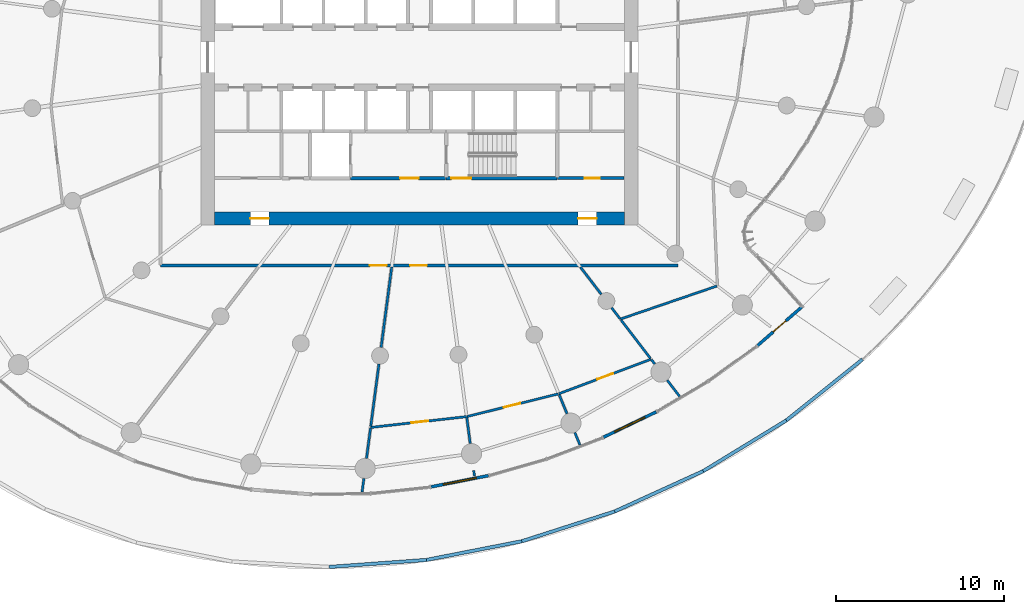
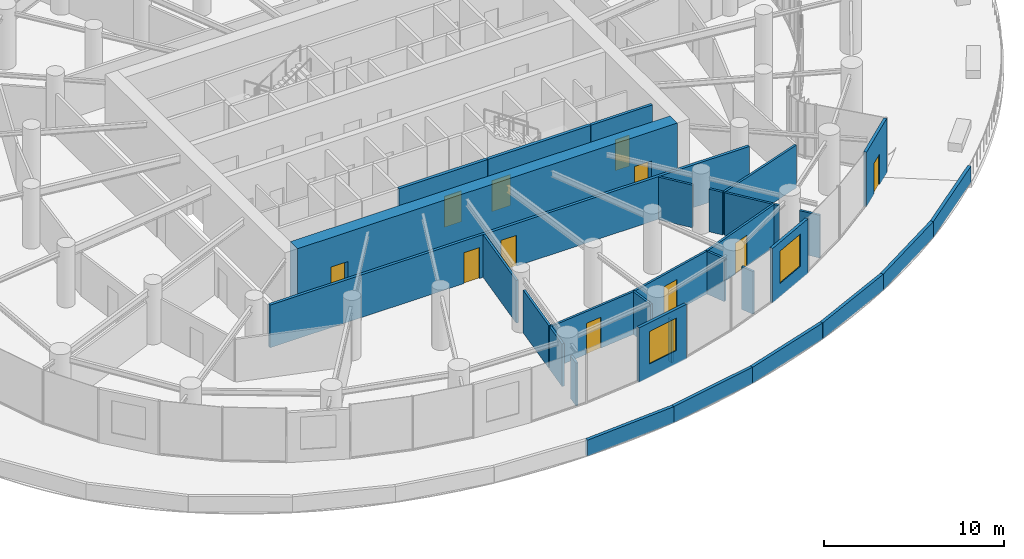
# One storey, part 15 of 24: 31 walls, 11 doors, 2 windows, 13 openings.
"""IFC4 building model written with IfcOpenShell, lengths in metres."""

from ifc_helpers import new_model, si_unit, direction, frame, frame_2d, origin, place, context, subcontext, project, spatial, rectangle, extrude, source, transform, mapped, material, layer, layer_set, type_object, element, fill, save


model = new_model("IFC4")

# Units and contexts
model_context = context("Model", 3, precision=1e-05, world=origin(), true_north=direction((0.0, 1.0)))
body_context = subcontext(model_context, "Body", "Model", "MODEL_VIEW")
ifc_project = project(units=[si_unit("LENGTHUNIT", "METRE"), si_unit("AREAUNIT", "SQUARE_METRE"), si_unit("VOLUMEUNIT", "CUBIC_METRE"), si_unit("PLANEANGLEUNIT", "RADIAN"), si_unit("MASSUNIT", "GRAM", prefix="KILO")], contexts=[model_context])

# Site, building, storey
site_placement = place(None, origin())
site = spatial("IfcSite", under=ifc_project, at=site_placement, CompositionType="ELEMENT")
building_placement = place(site_placement, origin())
building = spatial("IfcBuilding", under=site, at=building_placement, Name="Spindrift Exchange Tower", CompositionType="ELEMENT")
storey_placement = place(building_placement, frame((0.0, 0.0, 79.800048828125)))
storey = spatial("IfcBuildingStorey", under=building, at=storey_placement, Name="L18", CompositionType="ELEMENT", Elevation=79.800048828125)

# Walls
ifc_material_1 = material(Name="Concrete 40 MPa", Category="concrete")
ifc_layer_1 = layer(ifc_material_1, 0.199951171875)
ifc_layer_set_1 = layer_set([ifc_layer_1], Name="LEDGE PARAPET 1100")
wall_type_1 = type_object("IfcWallType", Name="LEDGE PARAPET 1100", PredefinedType="PARAPET", material=ifc_layer_set_1)
wall_1_placement = place(storey_placement, frame((78.36572265625, 30.011474609375, 0.0), z_axis=(0.0, 0.0, 1.0), x_axis=(-0.780321884559, -0.625378090821, 0.0)))
element("IfcWall", 1, at=wall_1_placement, inside=storey, type_object=wall_type_1, Name="L18 Ledge Parapet 1", PredefinedType="PARAPET", context=body_context, shape_type="SweptSolid", body=[
    extrude(rectangle(XDim=5.79541015625, YDim=0.199951171875, at=frame_2d((2.897705078125, 0.0))), origin(), (0.0, 0.0, 1.0), 1.099853515625),
])
for number, where, z_axis, x_axis, name in (
    (2, (73.843505859375, 26.38720703125, 0.0), (0.0, 0.0, 1.0), (-0.8535357823, -0.521034229523, 0.0), "L18 Ledge Parapet 2"),
    (3, (68.896240234375, 23.3671875, 0.0), (0.0, 0.0, 1.0), (-0.909930342598, -0.414761101864, 0.0), "L18 Ledge Parapet 3"),
):
    element("IfcWall", number, at=place(storey_placement, frame(where, z_axis=z_axis, x_axis=x_axis)), inside=storey, type_object=wall_type_1, Name=name, PredefinedType="PARAPET", context=body_context, shape_type="SweptSolid", body=[
        extrude(rectangle(XDim=5.796142578125, YDim=0.199951171875, at=frame_2d((2.89794921875, 0.0))), origin(), (0.0, 0.0, 1.0), 1.099853515625),
    ])
wall_2_placement = place(storey_placement, frame((63.6220703125, 20.963134765625, 0.0), z_axis=(0.0, 0.0, 1.0), x_axis=(-0.952182260254, -0.305530592997, 0.0)))
element("IfcWall", 4, at=wall_2_placement, inside=storey, type_object=wall_type_1, Name="L18 Ledge Parapet 4", PredefinedType="PARAPET", context=body_context, shape_type="SweptSolid", body=[
    extrude(rectangle(XDim=5.79638671875, YDim=0.199951171875, at=frame_2d((2.898193359375, 0.0))), origin(), (0.0, 0.0, 1.0), 1.099853515625),
])
for number, where, z_axis, x_axis, name in (
    (5, (58.102783203125, 19.192138671875, 0.0), (0.0, 0.0, 1.0), (-0.981406111049, -0.191942817513, 0.0), "L18 Ledge Parapet 5"),
    (6, (52.414306640625, 18.07958984375, 0.0), (0.0, 0.0, 1.0), (-0.997399560829, -0.072070216165, 0.0), "L18 Ledge Parapet 6"),
):
    element("IfcWall", number, at=place(storey_placement, frame(where, z_axis=z_axis, x_axis=x_axis)), inside=storey, type_object=wall_type_1, Name=name, PredefinedType="PARAPET", context=body_context, shape_type="SweptSolid", body=[
        extrude(rectangle(XDim=5.796142578125, YDim=0.199951171875, at=frame_2d((2.89794921875, 0.0))), origin(), (0.0, 0.0, 1.0), 1.099853515625),
    ])

# Wall, openings, doors
ifc_material_2 = material(Name="Concrete 65 MPa", Category="concrete")
ifc_layer_2 = layer(ifc_material_2, 0.800048828125)
ifc_layer_set_2 = layer_set([ifc_layer_2], Name="RC Core Wall 800 Concrete 65 MPa")
wall_type_2 = type_object("IfcWallType", Name="RC Core Wall 800 Concrete 65 MPa", PredefinedType="SHEAR", material=ifc_layer_set_2)
wall_3_placement = place(storey_placement, frame((39.800048828125, 38.39990234375, 0.0), z_axis=(0.0, 0.0, 1.0), x_axis=(1.0, 0.0, 0.0)))
wall_3 = element("IfcWall", 7, at=wall_3_placement, inside=storey, type_object=wall_type_2, Name="Core wall S L18", PredefinedType="SHEAR", context=body_context, shape_type="SweptSolid", body=[
    extrude(rectangle(XDim=24.39990234375, YDim=0.800048828125, at=frame_2d((12.199951171875, 0.0))), origin(), (0.0, 0.0, 1.0), 4.099853515625),
])
opening_1_placement = place(wall_3_placement, frame((21.64990234375, 0.0, 0.0)))
opening_1 = element("IfcOpeningElement", 8, at=opening_1_placement, cuts=wall_3, Name="Opening L18-D22", PredefinedType="OPENING", context=body_context, shape_type="SweptSolid", body=[
    extrude(rectangle(XDim=1.10009765625, YDim=2.10009765625, at=frame_2d((0.550048828125, 1.050048828125))), frame((0.0, 0.409912109375, 0.0), z_axis=(0.0, -1.0, 0.0), x_axis=(1.0, 0.0, 0.0)), (0.0, 0.0, 1.0), 0.820068359375),
])
opening_2_placement = place(wall_3_placement, frame((2.14990234375, 0.0, 0.0)))
opening_2 = element("IfcOpeningElement", 9, at=opening_2_placement, cuts=wall_3, Name="Opening L18-D23", PredefinedType="OPENING", context=body_context, shape_type="SweptSolid", body=[
    extrude(rectangle(XDim=1.10009765625, YDim=2.10009765625, at=frame_2d((0.550048828125, 1.050048828125))), frame((0.0, 0.409912109375, 0.0), z_axis=(0.0, -1.0, 0.0), x_axis=(1.0, 0.0, 0.0)), (0.0, 0.0, 1.0), 0.820068359375),
])
ifc_material_3 = material(Name="Steel fire door", Category="steel")
door_type_1 = type_object("IfcDoorType", Name="DR-STAIR-1100", OperationType="NOTDEFINED", PredefinedType="DOOR", material=ifc_material_3)
shared_shape_1 = source(origin(), body_context, "Body", "SweptSolid", [
    extrude(rectangle(XDim=1.10009765625, YDim=2.10009765625, at=frame_2d((0.550048828125, 1.050048828125))), frame((0.0, 0.02490234375, 0.0), z_axis=(0.0, -1.0, 0.0), x_axis=(1.0, 0.0, 0.0)), (0.0, 0.0, 1.0), 0.050048828125),
])
door_1_placement = place(opening_1_placement, origin())
door_1 = element("IfcDoor", 10, at=door_1_placement, inside=storey, type_object=door_type_1, Name="L18 Stair door 22", OperationType="SINGLE_SWING_LEFT", OverallHeight=2.10009765625, OverallWidth=1.10009765625, PredefinedType="DOOR", context=body_context, shape_type="MappedRepresentation", body=[
    mapped(shared_shape_1, transform((0.0, 0.0, 0.0), scale=1.0)),
])
fill(opening_1, door_1)
door_2_placement = place(opening_2_placement, origin())
door_2 = element("IfcDoor", 11, at=door_2_placement, inside=storey, type_object=door_type_1, Name="L18 Stair door 23", OperationType="SINGLE_SWING_RIGHT", OverallHeight=2.10009765625, OverallWidth=1.10009765625, PredefinedType="DOOR", context=body_context, shape_type="MappedRepresentation", body=[
    mapped(shared_shape_1, transform((0.0, 0.0, 0.0), scale=1.0)),
])
fill(opening_2, door_2)

# Wall, opening, window
ifc_material_4 = material(Name="Bronze anodised aluminium frame with fritted laminated glass spandrel", Category="aluminium")
ifc_layer_3 = layer(ifc_material_4, 0.179931640625)
ifc_layer_set_3 = layer_set([ifc_layer_3], Name="UNITISED FRAME WALL")
wall_type_3 = type_object("IfcWallType", Name="UNITISED FRAME WALL", PredefinedType="STANDARD", material=ifc_layer_set_3)
wall_4_placement = place(storey_placement, frame((52.6943359375, 22.427490234375, 0.0), z_axis=(0.0, 0.0, 1.0), x_axis=(0.981175782668, 0.193116761329, 0.0)))
wall_4 = element("IfcWall", 12, at=wall_4_placement, inside=storey, type_object=wall_type_3, Name="L18 Frame Wall 29", PredefinedType="STANDARD", context=body_context, shape_type="SweptSolid", body=[
    extrude(rectangle(XDim=3.49169921875, YDim=0.179931640625, at=frame_2d((1.745849609375, 0.0))), origin(), (0.0, 0.0, 1.0), 3.699951171875),
])
opening_3_placement = place(wall_4_placement, frame((0.745849609375, 0.0, 0.89990234375)))
opening_3 = element("IfcOpeningElement", 13, at=opening_3_placement, cuts=wall_4, Name="Opening WV18-10", PredefinedType="OPENING", context=body_context, shape_type="SweptSolid", body=[
    extrude(rectangle(XDim=2.0, YDim=2.199951171875, at=frame_2d((1.0, 1.10009765625))), frame((0.0, 0.099853515625, 0.0), z_axis=(0.0, -1.0, 0.0), x_axis=(1.0, 0.0, 0.0)), (0.0, 0.0, 1.0), 0.199951171875),
])
ifc_material_5 = material(Name="Clear laminated low-iron glass in bronze frame", Category="glass")
window_type = type_object("IfcWindowType", Name="OPERABLE CLEAR VENT 2000X2200", PartitioningType="SINGLE_PANEL", PredefinedType="WINDOW", material=ifc_material_5)
shared_shape_2 = source(origin(), body_context, "Body", "SweptSolid", [
    extrude(rectangle(XDim=2.0, YDim=2.199951171875, at=frame_2d((1.0, 1.10009765625))), frame((0.0, 0.030029296875, 0.0), z_axis=(0.0, -1.0, 0.0), x_axis=(1.0, 0.0, 0.0)), (0.0, 0.0, 1.0), 0.06005859375),
])
window_1_placement = place(opening_3_placement, origin())
window_1 = element("IfcWindow", 14, at=window_1_placement, inside=storey, type_object=window_type, Name="L18 Operable Vent WV18-10", OverallHeight=2.199951171875, OverallWidth=2.0, PartitioningType="SINGLE_PANEL", PredefinedType="WINDOW", context=body_context, shape_type="MappedRepresentation", body=[
    mapped(shared_shape_2, transform((0.0, 0.0, 0.0), scale=1.0)),
])
fill(opening_3, window_1)

wall_5_placement = place(storey_placement, frame((62.952392578125, 25.378662109375, 0.0), z_axis=(0.0, 0.0, 1.0), x_axis=(0.901106918132, 0.433596958124, 0.0)))
wall_5 = element("IfcWall", 15, at=wall_5_placement, inside=storey, type_object=wall_type_3, Name="L18 Frame Wall 32", PredefinedType="STANDARD", context=body_context, shape_type="SweptSolid", body=[
    extrude(rectangle(XDim=3.491455078125, YDim=0.179931640625, at=frame_2d((1.74560546875, 0.0))), origin(), (0.0, 0.0, 1.0), 3.699951171875),
])
opening_4_placement = place(wall_5_placement, frame((0.745849609375, 0.0, 0.89990234375)))
opening_4 = element("IfcOpeningElement", 16, at=opening_4_placement, cuts=wall_5, Name="Opening WV18-11", PredefinedType="OPENING", context=body_context, shape_type="SweptSolid", body=[
    extrude(rectangle(XDim=2.0, YDim=2.199951171875, at=frame_2d((1.0, 1.10009765625))), frame((0.0, 0.099853515625, 0.0), z_axis=(0.0, -1.0, 0.0), x_axis=(1.0, 0.0, 0.0)), (0.0, 0.0, 1.0), 0.199951171875),
])
window_2_placement = place(opening_4_placement, origin())
window_2 = element("IfcWindow", 17, at=window_2_placement, inside=storey, type_object=window_type, Name="L18 Operable Vent WV18-11", OverallHeight=2.199951171875, OverallWidth=2.0, PartitioningType="SINGLE_PANEL", PredefinedType="WINDOW", context=body_context, shape_type="MappedRepresentation", body=[
    mapped(shared_shape_2, transform((0.0, 0.0, 0.0), scale=1.0)),
])
fill(opening_4, window_2)

# Wall, opening, door
wall_6_placement = place(storey_placement, frame((72.124267578125, 30.834716796875, 0.0), z_axis=(0.0, 0.0, 1.0), x_axis=(0.753580850098, 0.65735523301, 0.0)))
wall_6 = element("IfcWall", 18, at=wall_6_placement, inside=storey, type_object=wall_type_3, Name="L18 Frame Wall 35", PredefinedType="STANDARD", context=body_context, shape_type="SweptSolid", body=[
    extrude(rectangle(XDim=3.4912109375, YDim=0.179931640625, at=frame_2d((1.74560546875, 0.0))), origin(), (0.0, 0.0, 1.0), 3.699951171875),
])
opening_5_placement = place(wall_6_placement, frame((1.24560546875, 0.0, 0.0)))
opening_5 = element("IfcOpeningElement", 19, at=opening_5_placement, cuts=wall_6, Name="Opening ED18-2", PredefinedType="OPENING", context=body_context, shape_type="SweptSolid", body=[
    extrude(rectangle(XDim=1.0, YDim=2.10009765625, at=frame_2d((0.5, 1.050048828125))), frame((0.0, 0.099853515625, 0.0), z_axis=(0.0, -1.0, 0.0), x_axis=(1.0, 0.0, 0.0)), (0.0, 0.0, 1.0), 0.199951171875),
])
ifc_material_6 = material(Name="Galvanised steel door leaf, polyester powder coat", Category="steel")
door_type_2 = type_object("IfcDoorType", Name="MAINTENANCE ACCESS DOOR 1000X2100", OperationType="SINGLE_SWING_LEFT", PredefinedType="DOOR", material=ifc_material_6)
shared_shape_3 = source(origin(), body_context, "Body", "SweptSolid", [
    extrude(rectangle(XDim=1.0, YDim=2.10009765625, at=frame_2d((0.5, 1.050048828125))), frame((0.0, 0.02490234375, 0.0), z_axis=(0.0, -1.0, 0.0), x_axis=(1.0, 0.0, 0.0)), (0.0, 0.0, 1.0), 0.050048828125),
])
door_3_placement = place(opening_5_placement, origin())
door_3 = element("IfcDoor", 20, at=door_3_placement, inside=storey, type_object=door_type_2, Name="L18 Maintenance Access Door ED18-2", OperationType="SINGLE_SWING_LEFT", OverallHeight=2.10009765625, OverallWidth=1.0, PredefinedType="DOOR", context=body_context, shape_type="MappedRepresentation", body=[
    mapped(shared_shape_3, transform((0.0, 0.0, 0.0), scale=1.0)),
])
fill(opening_5, door_3)

ifc_material_7 = material(Name="Fire-rated plasterboard partition", Category="gypsum")
ifc_layer_4 = layer(ifc_material_7, 0.179931640625)
ifc_layer_set_4 = layer_set([ifc_layer_4], Name="W-CORR-180")
wall_type_4 = type_object("IfcWallType", Name="W-CORR-180", PredefinedType="PARTITIONING", material=ifc_layer_set_4)
wall_7_placement = place(storey_placement, frame((60.22998046875, 40.800048828125, 0.0), z_axis=(0.0, 0.0, 1.0), x_axis=(1.0, 0.0, 0.0)))
wall_7 = element("IfcWall", 21, at=wall_7_placement, inside=storey, type_object=wall_type_4, Name="L18 Partition wall 61", PredefinedType="PARTITIONING", context=body_context, shape_type="SweptSolid", body=[
    extrude(rectangle(XDim=3.949951171875, YDim=0.179931640625, at=frame_2d((1.97509765625, 0.0))), origin(), (0.0, 0.0, 1.0), 3.699951171875),
])
opening_6_placement = place(wall_7_placement, frame((1.60009765625, 0.0, 0.0)))
opening_6 = element("IfcOpeningElement", 22, at=opening_6_placement, cuts=wall_7, Name="Opening L18-D51", PredefinedType="OPENING", context=body_context, shape_type="SweptSolid", body=[
    extrude(rectangle(XDim=0.89990234375, YDim=2.10009765625, at=frame_2d((0.449951171875, 1.050048828125))), frame((0.0, 0.099853515625, 0.0), z_axis=(0.0, -1.0, 0.0), x_axis=(1.0, 0.0, 0.0)), (0.0, 0.0, 1.0), 0.199951171875),
])
ifc_material_8 = material(Name="Steel access door", Category="steel")
door_type_3 = type_object("IfcDoorType", Name="DR-RISER-900", OperationType="NOTDEFINED", PredefinedType="DOOR", material=ifc_material_8)
shared_shape_4 = source(origin(), body_context, "Body", "SweptSolid", [
    extrude(rectangle(XDim=0.89990234375, YDim=2.10009765625, at=frame_2d((0.449951171875, 1.050048828125))), frame((0.0, 0.02490234375, 0.0), z_axis=(0.0, -1.0, 0.0), x_axis=(1.0, 0.0, 0.0)), (0.0, 0.0, 1.0), 0.050048828125),
])
door_4_placement = place(opening_6_placement, origin())
door_4 = element("IfcDoor", 23, at=door_4_placement, inside=storey, type_object=door_type_3, Name="L18 Riser door 51", OperationType="SINGLE_SWING_RIGHT", OverallHeight=2.10009765625, OverallWidth=0.89990234375, PredefinedType="DOOR", context=body_context, shape_type="MappedRepresentation", body=[
    mapped(shared_shape_4, transform((0.0, 0.0, 0.0), scale=1.0)),
])
fill(opening_6, door_4)

# Walls
ifc_layer_5 = layer(ifc_material_7, 0.139892578125)
ifc_layer_set_5 = layer_set([ifc_layer_5], Name="W-PART-140")
wall_type_5 = type_object("IfcWallType", Name="W-PART-140", PredefinedType="PARTITIONING", material=ifc_layer_set_5)
wall_8_placement = place(storey_placement, frame((63.959716796875, 32.413818359375, 0.0), z_axis=(0.0, 0.0, 1.0), x_axis=(0.946170785579, 0.323667799628, 0.0)))
element("IfcWall", 24, at=wall_8_placement, inside=storey, type_object=wall_type_5, Name="L18 Partition wall 69", PredefinedType="PARTITIONING", context=body_context, shape_type="SweptSolid", body=[
    extrude(rectangle(XDim=6.075927734375, YDim=0.139892578125, at=frame_2d((3.0380859375, 0.0))), origin(), (0.0, 0.0, 1.0), 2.89990234375),
])
wall_9_placement = place(storey_placement, frame((54.8203125, 26.57861328125, 0.0), z_axis=(0.0, 0.0, 1.0), x_axis=(0.130502227239, -0.991448016129, 0.0)))
element("IfcWall", 25, at=wall_9_placement, inside=storey, type_object=wall_type_5, Name="L18 Partition wall 112", PredefinedType="PARTITIONING", context=body_context, shape_type="SweptSolid", body=[
    extrude(rectangle(XDim=1.58837890625, YDim=0.139892578125, at=frame_2d((0.794189453125, 0.0))), origin(), (0.0, 0.0, 1.0), 2.89990234375),
])
wall_10_placement = place(storey_placement, frame((60.32421875, 27.9033203125, 0.0), z_axis=(0.0, 0.0, 1.0), x_axis=(0.382735438626, -0.923857989098, 0.0)))
element("IfcWall", 26, at=wall_10_placement, inside=storey, type_object=wall_type_5, Name="L18 Partition wall 114", PredefinedType="PARTITIONING", context=body_context, shape_type="SweptSolid", body=[
    extrude(rectangle(XDim=1.2177734375, YDim=0.139892578125, at=frame_2d((0.60888671875, 0.0))), origin(), (0.0, 0.0, 1.0), 2.89990234375),
])
wall_11_placement = place(storey_placement, frame((66.75, 28.777587890625, 0.0), z_axis=(0.0, 0.0, 1.0), x_axis=(0.608731606531, -0.793376222993, 0.0)))
element("IfcWall", 27, at=wall_11_placement, inside=storey, type_object=wall_type_5, Name="L18 Partition wall 115", PredefinedType="PARTITIONING", context=body_context, shape_type="SweptSolid", body=[
    extrude(rectangle(XDim=1.229736328125, YDim=0.139892578125, at=frame_2d((0.61474609375, 0.0))), origin(), (0.0, 0.0, 1.0), 2.89990234375),
])
wall_12_placement = place(storey_placement, frame((61.25341796875, 25.660400390625, 0.0), z_axis=(0.0, 0.0, 1.0), x_axis=(0.38272164666, -0.923863702706, 0.0)))
element("IfcWall", 28, at=wall_12_placement, inside=storey, type_object=wall_type_5, Name="L18 Partition wall 122", PredefinedType="PARTITIONING", context=body_context, shape_type="SweptSolid", body=[
    extrude(rectangle(XDim=0.796630859375, YDim=0.139892578125, at=frame_2d((0.3984375, 0.0))), origin(), (0.0, 0.0, 1.0), 2.89990234375),
])
wall_13_placement = place(storey_placement, frame((55.237548828125, 23.40869140625, 0.0), z_axis=(0.0, 0.0, 1.0), x_axis=(0.130224828545, -0.99148449006, 0.0)))
element("IfcWall", 29, at=wall_13_placement, inside=storey, type_object=wall_type_5, Name="L18 Partition wall 124", PredefinedType="PARTITIONING", context=body_context, shape_type="SweptSolid", body=[
    extrude(rectangle(XDim=0.330078125, YDim=0.139892578125, at=frame_2d((0.1650390625, 0.0))), origin(), (0.0, 0.0, 1.0), 2.89990234375),
])
wall_14_placement = place(storey_placement, frame((65.810791015625, 30.00146484375, 0.0), z_axis=(0.0, 0.0, 1.0), x_axis=(0.60896856834, -0.79319435372, 0.0)))
element("IfcWall", 30, at=wall_14_placement, inside=storey, type_object=wall_type_5, Name="L18 Partition wall 128", PredefinedType="PARTITIONING", context=body_context, shape_type="SweptSolid", body=[
    extrude(rectangle(XDim=0.333984375, YDim=0.139892578125, at=frame_2d((0.1669921875, 0.0))), origin(), (0.0, 0.0, 1.0), 2.89990234375),
])

# Wall, opening, door
ifc_layer_6 = layer(ifc_material_7, 0.139892578125)
ifc_layer_set_6 = layer_set([ifc_layer_6], Name="W-PLANT-140")
wall_type_6 = type_object("IfcWallType", Name="W-PLANT-140", PredefinedType="PARTITIONING", material=ifc_layer_set_6)
wall_15_placement = place(storey_placement, frame((65.79248046875, 30.025390625, 0.0), z_axis=(0.0, 0.0, 1.0), x_axis=(-0.936508603682, -0.350644599601, 0.0)))
wall_15 = element("IfcWall", 31, at=wall_15_placement, inside=storey, type_object=wall_type_6, Name="L18 Partition wall 72", PredefinedType="PARTITIONING", context=body_context, shape_type="SweptSolid", body=[
    extrude(rectangle(XDim=5.867431640625, YDim=0.139892578125, at=frame_2d((2.93359375, 0.0))), origin(), (0.0, 0.0, 1.0), 2.89990234375),
])
opening_7_placement = place(wall_15_placement, frame((2.41748046875, 0.0, 0.0)))
opening_7 = element("IfcOpeningElement", 32, at=opening_7_placement, cuts=wall_15, Name="Opening L18-D42", PredefinedType="OPENING", context=body_context, shape_type="SweptSolid", body=[
    extrude(rectangle(XDim=1.0, YDim=2.10009765625, at=frame_2d((0.5, 1.050048828125))), frame((0.0, 0.079833984375, 0.0), z_axis=(0.0, -1.0, 0.0), x_axis=(1.0, 0.0, 0.0)), (0.0, 0.0, 1.0), 0.159912109375),
])
ifc_material_9 = material(Name="Timber-core fire door", Category="wood")
door_type_4 = type_object("IfcDoorType", Name="DR-ROOM-1000", OperationType="NOTDEFINED", PredefinedType="DOOR", material=ifc_material_9)
shared_shape_5 = source(origin(), body_context, "Body", "SweptSolid", [
    extrude(rectangle(XDim=1.0, YDim=2.10009765625, at=frame_2d((0.5, 1.050048828125))), frame((0.0, 0.02490234375, 0.0), z_axis=(0.0, -1.0, 0.0), x_axis=(1.0, 0.0, 0.0)), (0.0, 0.0, 1.0), 0.050048828125),
])
door_5_placement = place(opening_7_placement, origin())
door_5 = element("IfcDoor", 33, at=door_5_placement, inside=storey, type_object=door_type_4, Name="L18 Door 42", OperationType="SINGLE_SWING_LEFT", OverallHeight=2.10009765625, OverallWidth=1.0, PredefinedType="DOOR", context=body_context, shape_type="MappedRepresentation", body=[
    mapped(shared_shape_5, transform((0.0, 0.0, 0.0), scale=1.0)),
])
fill(opening_7, door_5)

wall_16_placement = place(storey_placement, frame((54.81640625, 26.6083984375, 0.0), z_axis=(0.0, 0.0, 1.0), x_axis=(-0.993719643195, -0.111898484034, 0.0)))
wall_16 = element("IfcWall", 34, at=wall_16_placement, inside=storey, type_object=wall_type_6, Name="L18 Partition wall 74", PredefinedType="PARTITIONING", context=body_context, shape_type="SweptSolid", body=[
    extrude(rectangle(XDim=5.75341796875, YDim=0.139892578125, at=frame_2d((2.876708984375, 0.0))), origin(), (0.0, 0.0, 1.0), 2.89990234375),
])
opening_8_placement = place(wall_16_placement, frame((2.303466796875, 0.0, 0.0)))
opening_8 = element("IfcOpeningElement", 35, at=opening_8_placement, cuts=wall_16, Name="Opening L18-D40", PredefinedType="OPENING", context=body_context, shape_type="SweptSolid", body=[
    extrude(rectangle(XDim=1.0, YDim=2.10009765625, at=frame_2d((0.5, 1.050048828125))), frame((0.0, 0.079833984375, 0.0), z_axis=(0.0, -1.0, 0.0), x_axis=(1.0, 0.0, 0.0)), (0.0, 0.0, 1.0), 0.159912109375),
])
door_6_placement = place(opening_8_placement, origin())
door_6 = element("IfcDoor", 36, at=door_6_placement, inside=storey, type_object=door_type_4, Name="L18 Door 40", OperationType="SINGLE_SWING_LEFT", OverallHeight=2.10009765625, OverallWidth=1.0, PredefinedType="DOOR", context=body_context, shape_type="MappedRepresentation", body=[
    mapped(shared_shape_5, transform((0.0, 0.0, 0.0), scale=1.0)),
])
fill(opening_8, door_6)

wall_17_placement = place(storey_placement, frame((60.268310546875, 27.9609375, 0.0), z_axis=(0.0, 0.0, 1.0), x_axis=(-0.97057278056, -0.24080796838, 0.0)))
wall_17 = element("IfcWall", 37, at=wall_17_placement, inside=storey, type_object=wall_type_6, Name="L18 Partition wall 79", PredefinedType="PARTITIONING", context=body_context, shape_type="SweptSolid", body=[
    extrude(rectangle(XDim=5.587158203125, YDim=0.139892578125, at=frame_2d((2.79345703125, 0.0))), origin(), (0.0, 0.0, 1.0), 2.89990234375),
])
opening_9_placement = place(wall_17_placement, frame((2.33740234375, 0.0, 0.0)))
opening_9 = element("IfcOpeningElement", 38, at=opening_9_placement, cuts=wall_17, Name="Opening L18-D41", PredefinedType="OPENING", context=body_context, shape_type="SweptSolid", body=[
    extrude(rectangle(XDim=1.0, YDim=2.10009765625, at=frame_2d((0.5, 1.050048828125))), frame((0.0, 0.079833984375, 0.0), z_axis=(0.0, -1.0, 0.0), x_axis=(1.0, 0.0, 0.0)), (0.0, 0.0, 1.0), 0.159912109375),
])
door_7_placement = place(opening_9_placement, origin())
door_7 = element("IfcDoor", 39, at=door_7_placement, inside=storey, type_object=door_type_4, Name="L18 Door 41", OperationType="SINGLE_SWING_RIGHT", OverallHeight=2.10009765625, OverallWidth=1.0, PredefinedType="DOOR", context=body_context, shape_type="MappedRepresentation", body=[
    mapped(shared_shape_5, transform((0.0, 0.0, 0.0), scale=1.0)),
])
fill(opening_9, door_7)

# Walls
wall_18_placement = place(storey_placement, frame((50.355712890625, 35.510009765625, 0.0), z_axis=(0.0, 0.0, 1.0), x_axis=(-0.130523979823, -0.991445152639, 0.0)))
element("IfcWall", 40, at=wall_18_placement, inside=storey, type_object=wall_type_6, Name="L18 Partition wall 86", PredefinedType="PARTITIONING", context=body_context, shape_type="SweptSolid", body=[
    extrude(rectangle(XDim=4.818359375, YDim=0.139892578125, at=frame_2d((2.4091796875, 0.0))), origin(), (0.0, 0.0, 1.0), 2.89990234375),
])
wall_19_placement = place(storey_placement, frame((49.594970703125, 29.732666015625, 0.0), z_axis=(0.0, 0.0, 1.0), x_axis=(-0.130503634306, -0.991447830919, 0.0)))
element("IfcWall", 41, at=wall_19_placement, inside=storey, type_object=wall_type_6, Name="L18 Partition wall 94", PredefinedType="PARTITIONING", context=body_context, shape_type="SweptSolid", body=[
    extrude(rectangle(XDim=3.728515625, YDim=0.139892578125, at=frame_2d((1.8642578125, 0.0))), origin(), (0.0, 0.0, 1.0), 2.89990234375),
])
wall_20_placement = place(storey_placement, frame((64.004638671875, 32.35498046875, 0.0), z_axis=(0.0, 0.0, 1.0), x_axis=(0.608803809678, -0.793320818661, 0.0)))
element("IfcWall", 42, at=wall_20_placement, inside=storey, type_object=wall_type_6, Name="L18 Partition wall 98", PredefinedType="PARTITIONING", context=body_context, shape_type="SweptSolid", body=[
    extrude(rectangle(XDim=2.86328125, YDim=0.139892578125, at=frame_2d((1.431640625, 0.0))), origin(), (0.0, 0.0, 1.0), 2.89990234375),
])
wall_21_placement = place(storey_placement, frame((61.583984375, 35.510009765625, 0.0), z_axis=(0.0, 0.0, 1.0), x_axis=(0.608727763541, -0.793379171578, 0.0)))
element("IfcWall", 43, at=wall_21_placement, inside=storey, type_object=wall_type_6, Name="L18 Partition wall 105", PredefinedType="PARTITIONING", context=body_context, shape_type="SweptSolid", body=[
    extrude(rectangle(XDim=2.04150390625, YDim=0.139892578125, at=frame_2d((1.020751953125, 0.0))), origin(), (0.0, 0.0, 1.0), 2.89990234375),
])
wall_22_placement = place(storey_placement, frame((49.09521484375, 25.93505859375, 0.0), z_axis=(0.0, 0.0, 1.0), x_axis=(-0.13058921983, -0.991436561593, 0.0)))
element("IfcWall", 44, at=wall_22_placement, inside=storey, type_object=wall_type_6, Name="L18 Partition wall 110", PredefinedType="PARTITIONING", context=body_context, shape_type="SweptSolid", body=[
    extrude(rectangle(XDim=1.828369140625, YDim=0.139892578125, at=frame_2d((0.9140625, 0.0))), origin(), (0.0, 0.0, 1.0), 2.89990234375),
])
wall_23_placement = place(storey_placement, frame((63.44091796875, 33.08984375, 0.0), z_axis=(0.0, 0.0, 1.0), x_axis=(0.608705788034, -0.793396032013, 0.0)))
element("IfcWall", 45, at=wall_23_placement, inside=storey, type_object=wall_type_6, Name="L18 Partition wall 118", PredefinedType="PARTITIONING", context=body_context, shape_type="SweptSolid", body=[
    extrude(rectangle(XDim=0.822265625, YDim=0.139892578125, at=frame_2d((0.4111328125, 0.0))), origin(), (0.0, 0.0, 1.0), 2.89990234375),
])
wall_24_placement = place(storey_placement, frame((48.69873046875, 22.924072265625, 0.0), z_axis=(0.0, 0.0, 1.0), x_axis=(-0.13064182301, -0.991429631432, 0.0)))
element("IfcWall", 46, at=wall_24_placement, inside=storey, type_object=wall_type_6, Name="L18 Partition wall 121", PredefinedType="PARTITIONING", context=body_context, shape_type="SweptSolid", body=[
    extrude(rectangle(XDim=0.80908203125, YDim=0.139892578125, at=frame_2d((0.404541015625, 0.0))), origin(), (0.0, 0.0, 1.0), 2.89990234375),
])

# Wall, openings, doors
ifc_layer_7 = layer(ifc_material_7, 0.179931640625)
ifc_layer_set_7 = layer_set([ifc_layer_7], Name="W-PLANT-180")
wall_type_7 = type_object("IfcWallType", Name="W-PLANT-180", PredefinedType="PARTITIONING", material=ifc_layer_set_7)
wall_25_placement = place(storey_placement, frame((67.39990234375, 35.60009765625, 0.0), z_axis=(0.0, 0.0, 1.0), x_axis=(-1.0, 0.0, 0.0)))
wall_25 = element("IfcWall", 47, at=wall_25_placement, inside=storey, type_object=wall_type_7, Name="L18 Partition wall 57", PredefinedType="PARTITIONING", context=body_context, shape_type="SweptSolid", body=[
    extrude(rectangle(XDim=30.7998046875, YDim=0.179931640625, at=frame_2d((15.39990234375, 0.0))), origin(), (0.0, 0.0, 1.0), 2.89990234375),
])
opening_10_placement = place(wall_25_placement, frame((17.35009765625, 0.0, 0.0)))
opening_10 = element("IfcOpeningElement", 48, at=opening_10_placement, cuts=wall_25, Name="Opening L18-D38", PredefinedType="OPENING", context=body_context, shape_type="SweptSolid", body=[
    extrude(rectangle(XDim=1.0, YDim=2.10009765625, at=frame_2d((0.5, 1.050048828125))), frame((0.0, 0.099853515625, 0.0), z_axis=(0.0, -1.0, 0.0), x_axis=(1.0, 0.0, 0.0)), (0.0, 0.0, 1.0), 0.199951171875),
])
opening_11_placement = place(wall_25_placement, frame((14.949951171875, 0.0, 0.0)))
opening_11 = element("IfcOpeningElement", 49, at=opening_11_placement, cuts=wall_25, Name="Opening L18-D39", PredefinedType="OPENING", context=body_context, shape_type="SweptSolid", body=[
    extrude(rectangle(XDim=1.0, YDim=2.10009765625, at=frame_2d((0.5, 1.050048828125))), frame((0.0, 0.099853515625, 0.0), z_axis=(0.0, -1.0, 0.0), x_axis=(1.0, 0.0, 0.0)), (0.0, 0.0, 1.0), 0.199951171875),
])
door_8_placement = place(opening_10_placement, origin())
door_8 = element("IfcDoor", 50, at=door_8_placement, inside=storey, type_object=door_type_4, Name="L18 Door 38", OperationType="SINGLE_SWING_LEFT", OverallHeight=2.10009765625, OverallWidth=1.0, PredefinedType="DOOR", context=body_context, shape_type="MappedRepresentation", body=[
    mapped(shared_shape_5, transform((0.0, 0.0, 0.0), scale=1.0)),
])
fill(opening_10, door_8)
door_9_placement = place(opening_11_placement, origin())
door_9 = element("IfcDoor", 51, at=door_9_placement, inside=storey, type_object=door_type_4, Name="L18 Door 39", OperationType="SINGLE_SWING_RIGHT", OverallHeight=2.10009765625, OverallWidth=1.0, PredefinedType="DOOR", context=body_context, shape_type="MappedRepresentation", body=[
    mapped(shared_shape_5, transform((0.0, 0.0, 0.0), scale=1.0)),
])
fill(opening_11, door_9)

# Wall, opening, door
ifc_layer_8 = layer(ifc_material_1, 0.199951171875)
ifc_layer_set_8 = layer_set([ifc_layer_8], Name="W-SHAFT-200-LB")
wall_type_8 = type_object("IfcWallType", Name="W-SHAFT-200-LB", PredefinedType="SOLIDWALL", material=ifc_layer_set_8)
wall_26_placement = place(storey_placement, frame((53.60009765625, 40.800048828125, 0.0), z_axis=(0.0, 0.0, 1.0), x_axis=(1.0, 0.0, 0.0)))
wall_26 = element("IfcWall", 52, at=wall_26_placement, inside=storey, type_object=wall_type_8, Name="L18 Shaft wall 2", PredefinedType="SOLIDWALL", context=body_context, shape_type="SweptSolid", body=[
    extrude(rectangle(XDim=6.599853515625, YDim=0.199951171875, at=frame_2d((3.2998046875, 0.0))), origin(), (0.0, 0.0, 1.0), 3.699951171875),
])
opening_12_placement = place(wall_26_placement, frame((0.300048828125, 0.0, 0.0)))
opening_12 = element("IfcOpeningElement", 53, at=opening_12_placement, cuts=wall_26, Name="Opening L18-D16", PredefinedType="OPENING", context=body_context, shape_type="SweptSolid", body=[
    extrude(rectangle(XDim=1.199951171875, YDim=2.10009765625, at=frame_2d((0.60009765625, 1.050048828125))), frame((0.0, 0.10986328125, 0.0), z_axis=(0.0, -1.0, 0.0), x_axis=(1.0, 0.0, 0.0)), (0.0, 0.0, 1.0), 0.219970703125),
])
door_type_5 = type_object("IfcDoorType", Name="DR-STAIR-1200", OperationType="NOTDEFINED", PredefinedType="DOOR", material=ifc_material_3)
shared_shape_6 = source(origin(), body_context, "Body", "SweptSolid", [
    extrude(rectangle(XDim=1.199951171875, YDim=2.10009765625, at=frame_2d((0.60009765625, 1.050048828125))), frame((0.0, 0.02490234375, 0.0), z_axis=(0.0, -1.0, 0.0), x_axis=(1.0, 0.0, 0.0)), (0.0, 0.0, 1.0), 0.050048828125),
])
door_10_placement = place(opening_12_placement, origin())
door_10 = element("IfcDoor", 54, at=door_10_placement, inside=storey, type_object=door_type_5, Name="L18 Stair door 16", OperationType="SINGLE_SWING_LEFT", OverallHeight=2.10009765625, OverallWidth=1.199951171875, PredefinedType="DOOR", context=body_context, shape_type="MappedRepresentation", body=[
    mapped(shared_shape_6, transform((0.0, 0.0, 0.0), scale=1.0)),
])
fill(opening_12, door_10)

wall_27_placement = place(storey_placement, frame((47.89990234375, 40.800048828125, 0.0), z_axis=(0.0, 0.0, 1.0), x_axis=(1.0, 0.0, 0.0)))
wall_27 = element("IfcWall", 55, at=wall_27_placement, inside=storey, type_object=wall_type_8, Name="L18 Shaft wall 3", PredefinedType="SOLIDWALL", context=body_context, shape_type="SweptSolid", body=[
    extrude(rectangle(XDim=5.670166015625, YDim=0.199951171875, at=frame_2d((2.8349609375, 0.0))), origin(), (0.0, 0.0, 1.0), 3.699951171875),
])
opening_13_placement = place(wall_27_placement, frame((2.949951171875, 0.0, 0.0)))
opening_13 = element("IfcOpeningElement", 56, at=opening_13_placement, cuts=wall_27, Name="Opening L18-D18", PredefinedType="OPENING", context=body_context, shape_type="SweptSolid", body=[
    extrude(rectangle(XDim=1.10009765625, YDim=2.10009765625, at=frame_2d((0.550048828125, 1.050048828125))), frame((0.0, 0.10986328125, 0.0), z_axis=(0.0, -1.0, 0.0), x_axis=(1.0, 0.0, 0.0)), (0.0, 0.0, 1.0), 0.219970703125),
])
door_type_6 = type_object("IfcDoorType", Name="DR-LOBBY-1100", OperationType="NOTDEFINED", PredefinedType="DOOR", material=ifc_material_9)
shared_shape_7 = source(origin(), body_context, "Body", "SweptSolid", [
    extrude(rectangle(XDim=1.10009765625, YDim=2.10009765625, at=frame_2d((0.550048828125, 1.050048828125))), frame((0.0, 0.02490234375, 0.0), z_axis=(0.0, -1.0, 0.0), x_axis=(1.0, 0.0, 0.0)), (0.0, 0.0, 1.0), 0.050048828125),
])
door_11_placement = place(opening_13_placement, origin())
door_11 = element("IfcDoor", 57, at=door_11_placement, inside=storey, type_object=door_type_6, Name="L18 Lobby door 18", OperationType="SINGLE_SWING_LEFT", OverallHeight=2.10009765625, OverallWidth=1.10009765625, PredefinedType="DOOR", context=body_context, shape_type="MappedRepresentation", body=[
    mapped(shared_shape_7, transform((0.0, 0.0, 0.0), scale=1.0)),
])
fill(opening_13, door_11)

save(model, "model.ifc")
